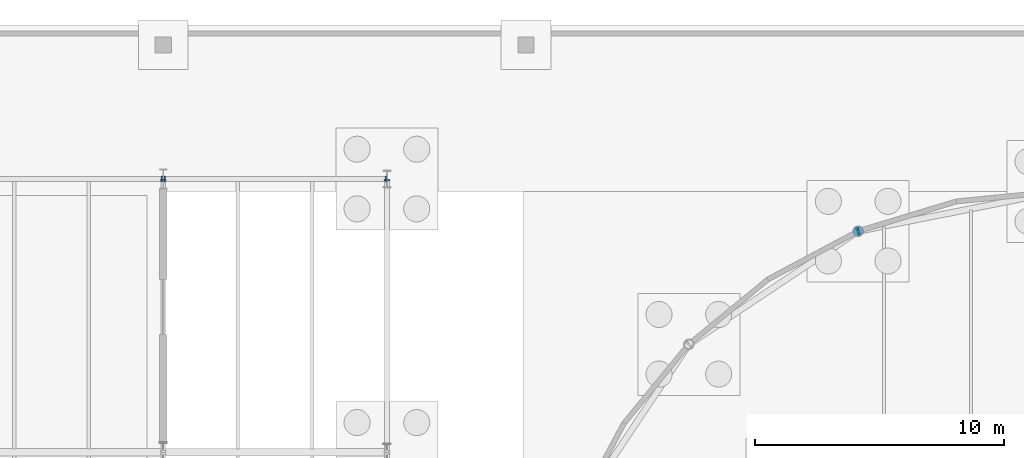
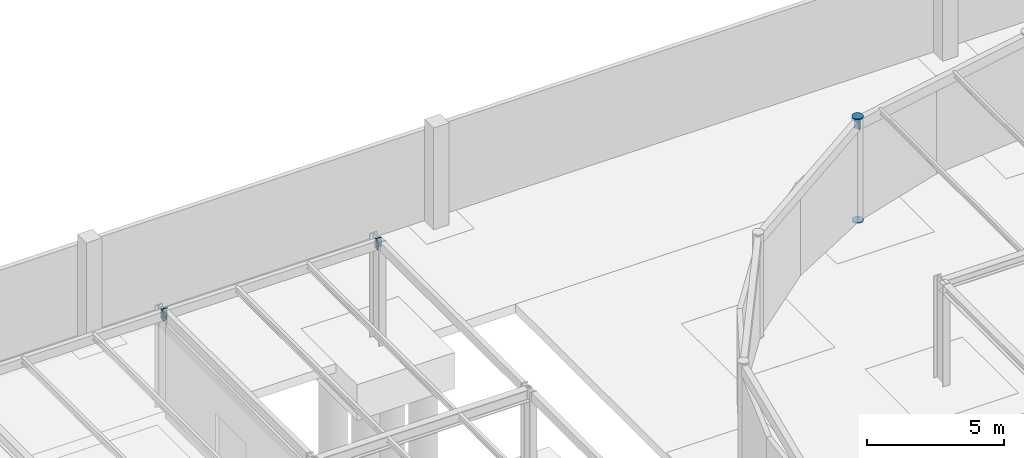
# One storey, part 146 of 160: 9 discrete accessories.
"""IFC4 building model written with IfcOpenShell, lengths in metres."""

from ifc_helpers import new_model, si_unit, direction, frame, origin, origin_2d, place, context, subcontext, project, spatial, rectangle, circle, extrude, material, element, save


model = new_model("IFC4")

# Units and contexts
model_context = context("Model", 3, precision=1e-05, world=origin(), true_north=direction((0.0, 1.0)))
body_context = subcontext(model_context, "Body", "Model", "MODEL_VIEW")
ifc_project = project(units=[si_unit("LENGTHUNIT", "METRE"), si_unit("AREAUNIT", "SQUARE_METRE"), si_unit("VOLUMEUNIT", "CUBIC_METRE"), si_unit("PLANEANGLEUNIT", "RADIAN"), si_unit("MASSUNIT", "GRAM", prefix="KILO")], contexts=[model_context])

# Site, building, storey
site_placement = place(None, origin())
site = spatial("IfcSite", under=ifc_project, at=site_placement, CompositionType="ELEMENT")
building_placement = place(site_placement, origin())
building = spatial("IfcBuilding", under=site, at=building_placement, Name="Marlcrest Central Station", CompositionType="ELEMENT")
storey_placement = place(building_placement, origin())
storey = spatial("IfcBuildingStorey", under=building, at=storey_placement, Name="L00", CompositionType="ELEMENT", Elevation=0.0)

# Discrete accessories
ifc_material = material(Name="Steel S355", Category="steel")
for number, where, z_axis, x_axis, name in (
    (1, (71.925048828125, 132.0, 4.320068359375), (1.0, 0.0, 0.0), (0.0, 1.0, 0.0), "endcap-bm-SP-01-L00-00139-e"),
    (2, (72.0, 131.925048828125, 4.409912109375), (0.0, 1.0, 0.0), (-1.0, 0.0, 0.0), "endcap-bm-SP-01-L00-00166-e"),
    (3, (72.03515625, 132.0, 4.320068359375), (1.0, 0.0, 0.0), (0.0, 1.0, 0.0), "endcap-bm-SP-01-L00-00218-s"),
    (4, (80.925048828125, 132.0, 4.320068359375), (1.0, 0.0, 0.0), (0.0, 1.0, 0.0), "endcap-bm-SP-01-L00-00218-e"),
    (5, (81.0, 131.925048828125, 4.405029296875), (0.0, 1.0, 0.0), (-1.0, 0.0, 0.0), "endcap-bm-SP-01-L00-00225-e"),
):
    element("IfcDiscreteAccessory", number, at=place(storey_placement, frame(where, z_axis=z_axis, x_axis=x_axis)), inside=storey, material=ifc_material, Name=name, ObjectType="END_CAP_PLATE", PredefinedType="BRACKET", context=body_context, shape_type="SweptSolid", body=[
        extrude(rectangle(XDim=0.216064453125, YDim=0.416015625, at=origin_2d()), origin(), (0.0, 0.0, 1.0), 0.0400390625),
    ])
for number, where, z_axis, x_axis, name in (
    (6, (99.964111328125, 129.90087890625, -0.014892578125), (0.0, 0.0, 1.0), (1.0, 0.0, 0.0), "endcap-col-SC-10-L00-0851-s"),
    (7, (99.964111328125, 129.90087890625, 4.585205078125), (0.0, 0.0, 1.0), (1.0, 0.0, 0.0), "endcap-col-SC-10-L00-0851-e"),
):
    element("IfcDiscreteAccessory", number, at=place(storey_placement, frame(where, z_axis=z_axis, x_axis=x_axis)), inside=storey, material=ifc_material, Name=name, ObjectType="END_CAP_PLATE", PredefinedType="BRACKET", context=body_context, shape_type="SweptSolid", body=[
        extrude(circle(Radius=0.211181640625, at=origin_2d()), origin(), (0.0, 0.0, 1.0), 0.0400390625),
    ])
for number, where, z_axis, x_axis, name in (
    (8, (99.943359375, 129.886962890625, 4.294921875), (0.831508991937, 0.55551129271, 0.0), (-0.55551129271, 0.831508991937, 0.0), "endcap-bm-SP-02-L00-01420-e"),
    (9, (99.949462890625, 129.89794921875, 4.294921875), (0.980769316421, 0.19517056122, 0.0), (-0.19517056122, 0.980769316421, 0.0), "endcap-bm-SP-02-L00-01421-s"),
):
    element("IfcDiscreteAccessory", number, at=place(storey_placement, frame(where, z_axis=z_axis, x_axis=x_axis)), inside=storey, material=ifc_material, Name=name, ObjectType="END_CAP_PLATE", PredefinedType="BRACKET", context=body_context, shape_type="SweptSolid", body=[
        extrude(rectangle(XDim=0.26611328125, YDim=0.466064453125, at=origin_2d()), origin(), (0.0, 0.0, 1.0), 0.0400390625),
    ])

save(model, "model.ifc")
